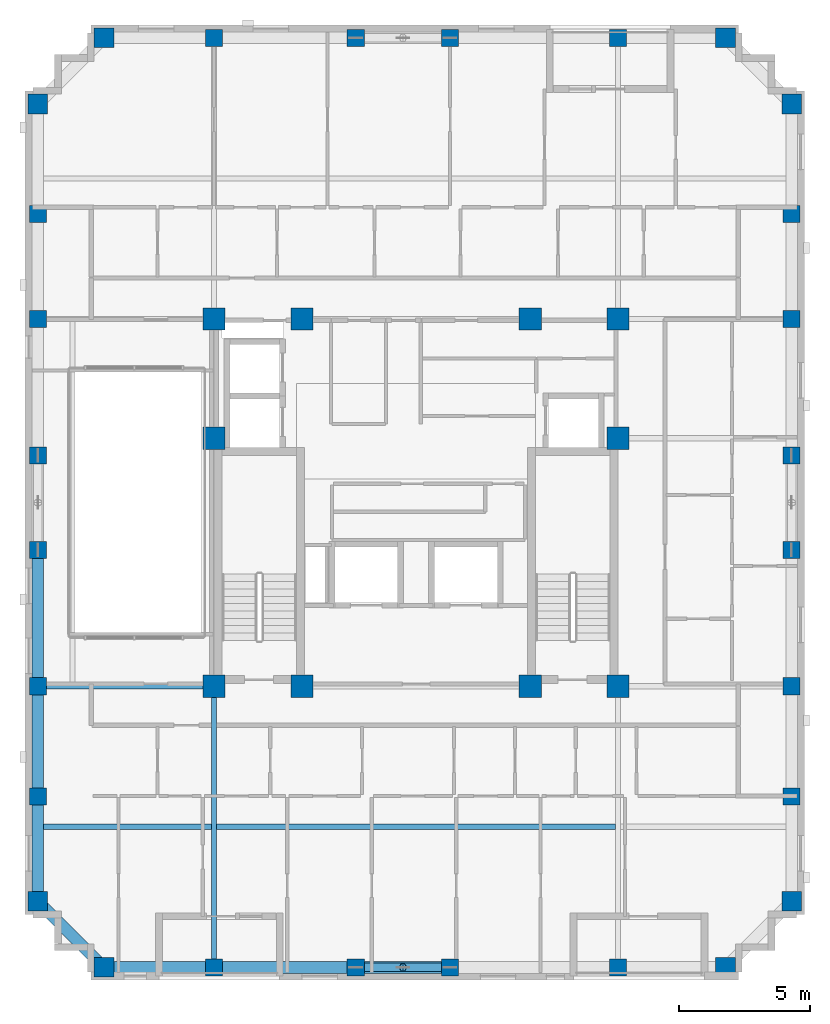
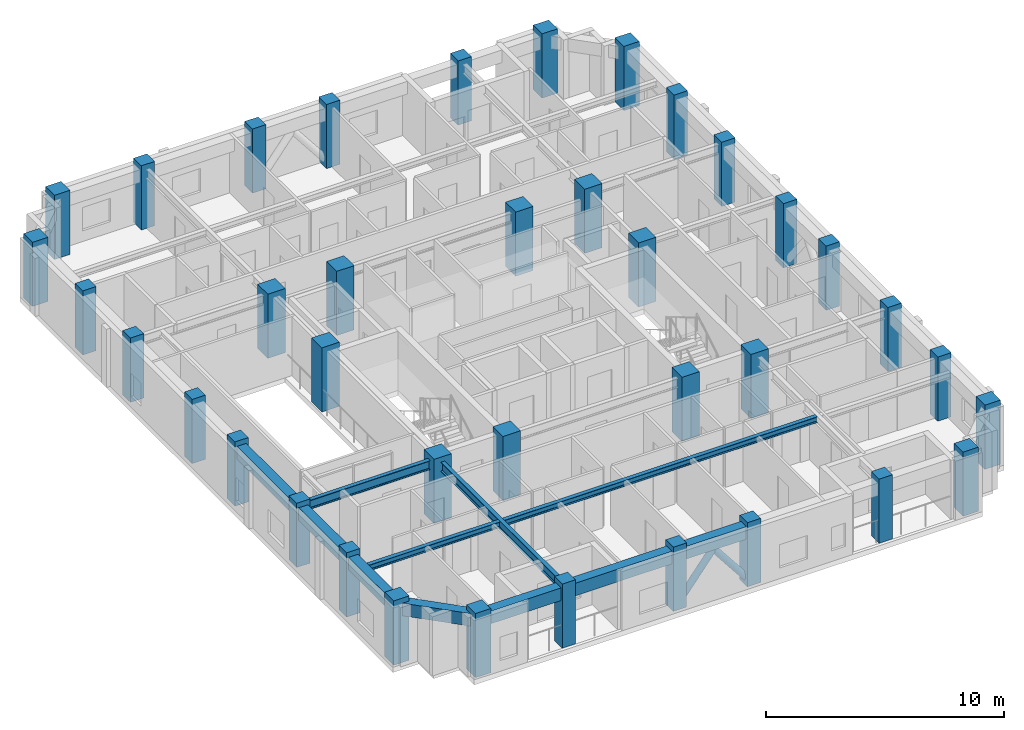
# One storey, part 1 of 13: 38 columns, 11 beams, 2 members.
"""IFC4 building model written with IfcOpenShell, lengths in metres."""

from ifc_helpers import new_model, si_unit, derived_unit, direction, frame, origin, origin_2d, place, context, subcontext, project, spatial, rectangle, hollow_circle, i_section, extrude, material, material_profile, profile_set, type_object, element, save


model = new_model("IFC4")

# Units and contexts
model_context = context("Model", 3, precision=1e-05, world=origin(), true_north=direction((0.0, 1.0)))
body_context = subcontext(model_context, "Body", "Model", "MODEL_VIEW")
ifc_project = project(units=[si_unit("LENGTHUNIT", "METRE"), si_unit("AREAUNIT", "SQUARE_METRE"), si_unit("VOLUMEUNIT", "CUBIC_METRE"), si_unit("PLANEANGLEUNIT", "RADIAN"), si_unit("MASSUNIT", "GRAM", prefix="KILO"), derived_unit("THERMALTRANSMITTANCEUNIT", [(si_unit("MASSUNIT", "GRAM", prefix="KILO"), 1), (si_unit("TIMEUNIT", "SECOND"), -3), (si_unit("THERMODYNAMICTEMPERATUREUNIT", "KELVIN"), -1)])], contexts=[model_context])

# Site, building, storey
site_placement = place(None, origin())
site = spatial("IfcSite", under=ifc_project, at=site_placement, CompositionType="ELEMENT")
building_placement = place(site_placement, origin())
building = spatial("IfcBuilding", under=site, at=building_placement, Name="Korrvale Station Residences", CompositionType="ELEMENT")
storey_placement = place(building_placement, frame((0.0, 0.0, 181.0)))
storey = spatial("IfcBuildingStorey", under=building, at=storey_placement, Name="L52", CompositionType="ELEMENT", Elevation=181.0)

# Columns
ifc_material_1 = material(Name="Concrete C50/60", Category="concrete")
ifc_material_profile_1 = material_profile(ifc_material_1, rectangle(XDim=0.64990234375, YDim=0.64990234375, at=origin_2d()), Name="RC650x650")
ifc_profile_set_1 = profile_set([ifc_material_profile_1], Name="Concrete C50/60")
column_type_1 = type_object("IfcColumnType", Name="COL-C-RC650x650-C5060", PredefinedType="COLUMN", material=ifc_profile_set_1)
for number, where, z_axis, x_axis, name in (
    (1, (17.800048828125, 4.280029296875, 0.0), (0.0, 0.0, 1.0), (1.0, 0.0, 0.0), "L52 Bundled-Tube South Column 02"),
    (2, (23.199951171875, 4.280029296875, 0.0), (0.0, 0.0, 1.0), (1.0, 0.0, 0.0), "L52 Bundled-Tube South Column 03"),
    (3, (26.800048828125, 4.280029296875, 0.0), (0.0, 0.0, 1.0), (1.0, 0.0, 0.0), "L52 Bundled-Tube South Column 04"),
    (4, (33.199951171875, 4.280029296875, 0.0), (0.0, 0.0, 1.0), (1.0, 0.0, 0.0), "L52 Bundled-Tube South Column 05"),
    (5, (17.800048828125, 39.719970703125, 0.0), (0.0, 0.0, 1.0), (1.0, 0.0, 0.0), "L52 Bundled-Tube North Column 08"),
    (6, (23.199951171875, 39.719970703125, 0.0), (0.0, 0.0, 1.0), (1.0, 0.0, 0.0), "L52 Bundled-Tube North Column 09"),
    (7, (26.800048828125, 39.719970703125, 0.0), (0.0, 0.0, 1.0), (1.0, 0.0, 0.0), "L52 Bundled-Tube North Column 10"),
    (8, (33.199951171875, 39.719970703125, 0.0), (0.0, 0.0, 1.0), (1.0, 0.0, 0.0), "L52 Bundled-Tube North Column 11"),
    (9, (11.080078125, 10.800048828125, 0.0), (0.0, 0.0, 1.0), (1.0, 0.0, 0.0), "L52 Bundled-Tube West Column 14"),
    (10, (11.080078125, 15.0, 0.0), (0.0, 0.0, 1.0), (1.0, 0.0, 0.0), "L52 Bundled-Tube West Column 15"),
    (11, (11.080078125, 20.199951171875, 0.0), (0.0, 0.0, 1.0), (1.0, 0.0, 0.0), "L52 Bundled-Tube West Column 16"),
    (12, (11.080078125, 23.800048828125, 0.0), (0.0, 0.0, 1.0), (1.0, 0.0, 0.0), "L52 Bundled-Tube West Column 17"),
    (13, (11.080078125, 29.0, 0.0), (0.0, 0.0, 1.0), (1.0, 0.0, 0.0), "L52 Bundled-Tube West Column 18"),
    (14, (11.080078125, 33.0, 0.0), (0.0, 0.0, 1.0), (1.0, 0.0, 0.0), "L52 Bundled-Tube West Column 19"),
    (15, (39.820068359375, 10.800048828125, 0.0), (0.0, 0.0, 1.0), (1.0, 0.0, 0.0), "L52 Bundled-Tube East Column 22"),
    (16, (39.820068359375, 15.0, 0.0), (0.0, 0.0, 1.0), (1.0, 0.0, 0.0), "L52 Bundled-Tube East Column 23"),
    (17, (39.820068359375, 20.199951171875, 0.0), (0.0, 0.0, 1.0), (1.0, 0.0, 0.0), "L52 Bundled-Tube East Column 24"),
    (18, (39.820068359375, 23.800048828125, 0.0), (0.0, 0.0, 1.0), (1.0, 0.0, 0.0), "L52 Bundled-Tube East Column 25"),
    (19, (39.820068359375, 29.0, 0.0), (0.0, 0.0, 1.0), (1.0, 0.0, 0.0), "L52 Bundled-Tube East Column 26"),
    (20, (39.820068359375, 33.0, 0.0), (0.0, 0.0, 1.0), (1.0, 0.0, 0.0), "L52 Bundled-Tube East Column 27"),
):
    element("IfcColumn", number, at=place(storey_placement, frame(where, z_axis=z_axis, x_axis=x_axis)), inside=storey, type_object=column_type_1, Name=name, PredefinedType="COLUMN", context=body_context, shape_type="SweptSolid", body=[
        extrude(rectangle(XDim=0.64990234375, YDim=0.64990234375, at=origin_2d()), origin(), (0.0, 0.0, 1.0), 3.300048828125),
    ])
ifc_material_profile_2 = material_profile(ifc_material_1, rectangle(XDim=0.75, YDim=0.75, at=origin_2d()), Name="RC750x750")
ifc_profile_set_2 = profile_set([ifc_material_profile_2], Name="Concrete C50/60")
column_type_2 = type_object("IfcColumnType", Name="COL-C-RC750x750-C5060", PredefinedType="COLUMN", material=ifc_profile_set_2)
for number, where, z_axis, x_axis, name in (
    (21, (13.60009765625, 4.280029296875, 0.0), (0.0, 0.0, 1.0), (1.0, 0.0, 0.0), "L52 Bundled-Tube South Column 01"),
    (22, (37.300048828125, 4.280029296875, 0.0), (0.0, 0.0, 1.0), (1.0, 0.0, 0.0), "L52 Bundled-Tube South Column 06"),
    (23, (13.60009765625, 39.719970703125, 0.0), (0.0, 0.0, 1.0), (1.0, 0.0, 0.0), "L52 Bundled-Tube North Column 07"),
    (24, (37.300048828125, 39.719970703125, 0.0), (0.0, 0.0, 1.0), (1.0, 0.0, 0.0), "L52 Bundled-Tube North Column 12"),
    (25, (11.080078125, 6.800048828125, 0.0), (0.0, 0.0, 1.0), (1.0, 0.0, 0.0), "L52 Bundled-Tube West Column 13"),
    (26, (11.080078125, 37.199951171875, 0.0), (0.0, 0.0, 1.0), (1.0, 0.0, 0.0), "L52 Bundled-Tube West Column 20"),
    (27, (39.820068359375, 6.800048828125, 0.0), (0.0, 0.0, 1.0), (1.0, 0.0, 0.0), "L52 Bundled-Tube East Column 21"),
    (28, (39.820068359375, 37.199951171875, 0.0), (0.0, 0.0, 1.0), (1.0, 0.0, 0.0), "L52 Bundled-Tube East Column 28"),
):
    element("IfcColumn", number, at=place(storey_placement, frame(where, z_axis=z_axis, x_axis=x_axis)), inside=storey, type_object=column_type_2, Name=name, PredefinedType="COLUMN", context=body_context, shape_type="SweptSolid", body=[
        extrude(rectangle(XDim=0.75, YDim=0.75, at=origin_2d()), origin(), (0.0, 0.0, 1.0), 3.300048828125),
    ])
ifc_material_profile_3 = material_profile(ifc_material_1, rectangle(XDim=0.85009765625, YDim=0.85009765625, at=origin_2d()), Name="RC850x850")
ifc_profile_set_3 = profile_set([ifc_material_profile_3], Name="Concrete C50/60")
column_type_3 = type_object("IfcColumnType", Name="COL-C-RC850x850-C5060", PredefinedType="COLUMN", material=ifc_profile_set_3)
for number, where, z_axis, x_axis, name in (
    (29, (17.800048828125, 15.0, 0.0), (0.0, 0.0, 1.0), (1.0, 0.0, 0.0), "L52 Core Column 01"),
    (30, (21.14990234375, 15.0, 0.0), (0.0, 0.0, 1.0), (1.0, 0.0, 0.0), "L52 Core Column 02"),
    (31, (29.85009765625, 15.0, 0.0), (0.0, 0.0, 1.0), (1.0, 0.0, 0.0), "L52 Core Column 03"),
    (32, (33.199951171875, 15.0, 0.0), (0.0, 0.0, 1.0), (1.0, 0.0, 0.0), "L52 Core Column 04"),
    (33, (17.800048828125, 29.0, 0.0), (0.0, 0.0, 1.0), (1.0, 0.0, 0.0), "L52 Core Column 05"),
    (34, (21.14990234375, 29.0, 0.0), (0.0, 0.0, 1.0), (1.0, 0.0, 0.0), "L52 Core Column 06"),
    (35, (29.85009765625, 29.0, 0.0), (0.0, 0.0, 1.0), (1.0, 0.0, 0.0), "L52 Core Column 07"),
    (36, (33.199951171875, 29.0, 0.0), (0.0, 0.0, 1.0), (1.0, 0.0, 0.0), "L52 Core Column 08"),
    (37, (17.800048828125, 24.449951171875, 0.0), (0.0, 0.0, 1.0), (1.0, 0.0, 0.0), "L52 Core Column 09"),
    (38, (33.199951171875, 24.449951171875, 0.0), (0.0, 0.0, 1.0), (1.0, 0.0, 0.0), "L52 Core Column 10"),
):
    element("IfcColumn", number, at=place(storey_placement, frame(where, z_axis=z_axis, x_axis=x_axis)), inside=storey, type_object=column_type_3, Name=name, PredefinedType="COLUMN", context=body_context, shape_type="SweptSolid", body=[
        extrude(rectangle(XDim=0.85009765625, YDim=0.85009765625, at=origin_2d()), origin(), (0.0, 0.0, 1.0), 3.300048828125),
    ])

# Beams
ifc_material_2 = material(Name="Steel S355", Category="steel")
ifc_material_profile_4 = material_profile(ifc_material_2, i_section(OverallWidth=0.194091796875, OverallDepth=0.468994140625, WebThickness=0.0126953125, FlangeThickness=0.0205078125, FilletRadius=0.01611328125, at=origin_2d()), Name="W460x106")
ifc_profile_set_4 = profile_set([ifc_material_profile_4], Name="Steel S355")
beam_type_1 = type_object("IfcBeamType", Name="BM-BM-W460x106-S355", PredefinedType="BEAM", material=ifc_profile_set_4)
beam_1_placement = place(storey_placement, frame((17.800048828125, 4.280029296875, 2.805419921875), z_axis=(0.0, 1.0, 0.0), x_axis=(-1.0, 0.0, 0.0)))
element("IfcBeam", 39, at=beam_1_placement, inside=storey, type_object=beam_type_1, Name="L52 Bundled-Tube Web Girder 01", PredefinedType="BEAM", context=body_context, shape_type="SweptSolid", body=[
    extrude(i_section(OverallWidth=0.194091796875, OverallDepth=0.468994140625, WebThickness=0.0126953125, FlangeThickness=0.0205078125, FilletRadius=0.01611328125, at=origin_2d()), origin(), (0.0, 0.0, 1.0), 10.719970703125),
])
beam_2_placement = place(storey_placement, frame((11.080078125, 15.0, 2.805419921875), z_axis=(1.0, 0.0, 0.0), x_axis=(0.0, 1.0, 0.0)))
element("IfcBeam", 40, at=beam_2_placement, inside=storey, type_object=beam_type_1, Name="L52 Bundled-Tube Web Girder 05", PredefinedType="BEAM", context=body_context, shape_type="SweptSolid", body=[
    extrude(i_section(OverallWidth=0.194091796875, OverallDepth=0.468994140625, WebThickness=0.0126953125, FlangeThickness=0.0205078125, FilletRadius=0.01611328125, at=origin_2d()), origin(), (0.0, 0.0, 1.0), 6.719970703125),
])
ifc_material_profile_5 = material_profile(ifc_material_2, i_section(OverallWidth=0.202880859375, OverallDepth=0.302978515625, WebThickness=0.007568359375, FlangeThickness=0.01318359375, FilletRadius=0.014892578125, at=origin_2d()), Name="W310x60")
ifc_profile_set_5 = profile_set([ifc_material_profile_5], Name="Steel S355")
beam_type_2 = type_object("IfcBeamType", Name="BM-JST-W310x60-S355", PredefinedType="JOIST", material=ifc_profile_set_5)
beam_3_placement = place(storey_placement, frame((11.304931640625, 9.639892578125, 2.888427734375), z_axis=(1.0, 0.0, 0.0), x_axis=(0.0, 1.0, 0.0)))
element("IfcBeam", 41, at=beam_3_placement, inside=storey, type_object=beam_type_2, Name="L52 Floor Framing Joist 01", PredefinedType="JOIST", context=body_context, shape_type="SweptSolid", body=[
    extrude(i_section(OverallWidth=0.202880859375, OverallDepth=0.302978515625, WebThickness=0.007568359375, FlangeThickness=0.01318359375, FilletRadius=0.014892578125, at=origin_2d()), origin(), (0.0, 0.0, 1.0), 6.39794921875),
])
beam_4_placement = place(storey_placement, frame((17.89697265625, 9.639892578125, 2.888427734375), z_axis=(1.0, 0.0, 0.0), x_axis=(0.0, 1.0, 0.0)))
element("IfcBeam", 42, at=beam_4_placement, inside=storey, type_object=beam_type_2, Name="L52 Floor Framing Joist 02", PredefinedType="JOIST", context=body_context, shape_type="SweptSolid", body=[
    extrude(i_section(OverallWidth=0.202880859375, OverallDepth=0.302978515625, WebThickness=0.007568359375, FlangeThickness=0.01318359375, FilletRadius=0.014892578125, at=origin_2d()), origin(), (0.0, 0.0, 1.0), 15.2060546875),
])
ifc_material_profile_6 = material_profile(ifc_material_1, rectangle(XDim=0.449951171875, YDim=0.64990234375, at=origin_2d()), Name="RCB450x650")
ifc_profile_set_6 = profile_set([ifc_material_profile_6], Name="Concrete C50/60")
beam_type_3 = type_object("IfcBeamType", Name="BM-SPB-RCB450x650-C5060", PredefinedType="SPANDREL", material=ifc_profile_set_6)
beam_5_placement = place(storey_placement, frame((13.60009765625, 4.280029296875, 2.715087890625), z_axis=(1.0, 0.0, 0.0), x_axis=(0.0, 1.0, 0.0)))
element("IfcBeam", 43, at=beam_5_placement, inside=storey, type_object=beam_type_3, Name="L52 South Tube Spandrel 01", PredefinedType="SPANDREL", context=body_context, shape_type="SweptSolid", body=[
    extrude(rectangle(XDim=0.449951171875, YDim=0.64990234375, at=origin_2d()), origin(), (0.0, 0.0, 1.0), 4.199951171875),
])
beam_6_placement = place(storey_placement, frame((17.800048828125, 4.280029296875, 2.715087890625), z_axis=(1.0, 0.0, 0.0), x_axis=(0.0, 1.0, 0.0)))
element("IfcBeam", 44, at=beam_6_placement, inside=storey, type_object=beam_type_3, Name="L52 South Tube Spandrel 02", PredefinedType="SPANDREL", context=body_context, shape_type="SweptSolid", body=[
    extrude(rectangle(XDim=0.449951171875, YDim=0.64990234375, at=origin_2d()), origin(), (0.0, 0.0, 1.0), 5.39990234375),
])
beam_7_placement = place(storey_placement, frame((23.199951171875, 4.280029296875, 2.715087890625), z_axis=(1.0, 0.0, 0.0), x_axis=(0.0, 1.0, 0.0)))
element("IfcBeam", 45, at=beam_7_placement, inside=storey, type_object=beam_type_3, Name="L52 South Tube Spandrel 03", PredefinedType="SPANDREL", context=body_context, shape_type="SweptSolid", body=[
    extrude(rectangle(XDim=0.449951171875, YDim=0.64990234375, at=origin_2d()), origin(), (0.0, 0.0, 1.0), 3.60009765625),
])
beam_8_placement = place(storey_placement, frame((11.080078125, 6.800048828125, 2.715087890625), z_axis=(0.0, 1.0, 0.0), x_axis=(-1.0, 0.0, 0.0)))
element("IfcBeam", 46, at=beam_8_placement, inside=storey, type_object=beam_type_3, Name="L52 West Tube Spandrel 11", PredefinedType="SPANDREL", context=body_context, shape_type="SweptSolid", body=[
    extrude(rectangle(XDim=0.449951171875, YDim=0.64990234375, at=origin_2d()), origin(), (0.0, 0.0, 1.0), 4.0),
])
beam_9_placement = place(storey_placement, frame((11.080078125, 10.800048828125, 2.715087890625), z_axis=(0.0, 1.0, 0.0), x_axis=(-1.0, 0.0, 0.0)))
element("IfcBeam", 47, at=beam_9_placement, inside=storey, type_object=beam_type_3, Name="L52 West Tube Spandrel 12", PredefinedType="SPANDREL", context=body_context, shape_type="SweptSolid", body=[
    extrude(rectangle(XDim=0.449951171875, YDim=0.64990234375, at=origin_2d()), origin(), (0.0, 0.0, 1.0), 4.199951171875),
])
beam_10_placement = place(storey_placement, frame((11.080078125, 15.0, 2.715087890625), z_axis=(0.0, 1.0, 0.0), x_axis=(-1.0, 0.0, 0.0)))
element("IfcBeam", 48, at=beam_10_placement, inside=storey, type_object=beam_type_3, Name="L52 West Tube Spandrel 13", PredefinedType="SPANDREL", context=body_context, shape_type="SweptSolid", body=[
    extrude(rectangle(XDim=0.449951171875, YDim=0.64990234375, at=origin_2d()), origin(), (0.0, 0.0, 1.0), 5.199951171875),
])
beam_11_placement = place(storey_placement, frame((13.60009765625, 4.280029296875, 2.715087890625), z_axis=(-0.707106781187, 0.707106781187, 0.0), x_axis=(-0.707106781187, -0.707106781187, 0.0)))
element("IfcBeam", 49, at=beam_11_placement, inside=storey, type_object=beam_type_3, Name="L52 Serrated Corner Spandrel 25", PredefinedType="SPANDREL", context=body_context, shape_type="SweptSolid", body=[
    extrude(rectangle(XDim=0.449951171875, YDim=0.64990234375, at=origin_2d()), origin(), (0.0, 0.0, 1.0), 3.56396484375),
])

# Members
ifc_material_profile_7 = material_profile(ifc_material_2, hollow_circle(Radius=0.161865234375, WallThickness=0.015869140625, at=origin_2d()), Name="HSS324x16")
ifc_profile_set_7 = profile_set([ifc_material_profile_7], Name="Steel S355")
member_type = type_object("IfcMemberType", Name="MBR-BR-HSS324x16", PredefinedType="BRACE", material=ifc_profile_set_7)
for number, where, z_axis, x_axis, name in (
    (50, (23.199951171875, 4.280029296875, 0.02001953125), (0.617977009695, 0.0, 0.786196168579), (0.0, 1.0, 0.0), "L52 S Perimeter Tube Wind Brace 1"),
    (51, (26.800048828125, 4.280029296875, 0.02001953125), (-0.617977009695, 0.0, 0.786196168579), (0.0, -1.0, 0.0), "L52 S Perimeter Tube Wind Brace 2"),
):
    element("IfcMember", number, at=place(storey_placement, frame(where, z_axis=z_axis, x_axis=x_axis)), inside=storey, type_object=member_type, Name=name, PredefinedType="BRACE", context=body_context, shape_type="SweptSolid", body=[
        extrude(hollow_circle(Radius=0.161865234375, WallThickness=0.015869140625, at=origin_2d()), origin(), (0.0, 0.0, 1.0), 2.912841796875),
    ])

save(model, "model.ifc")
